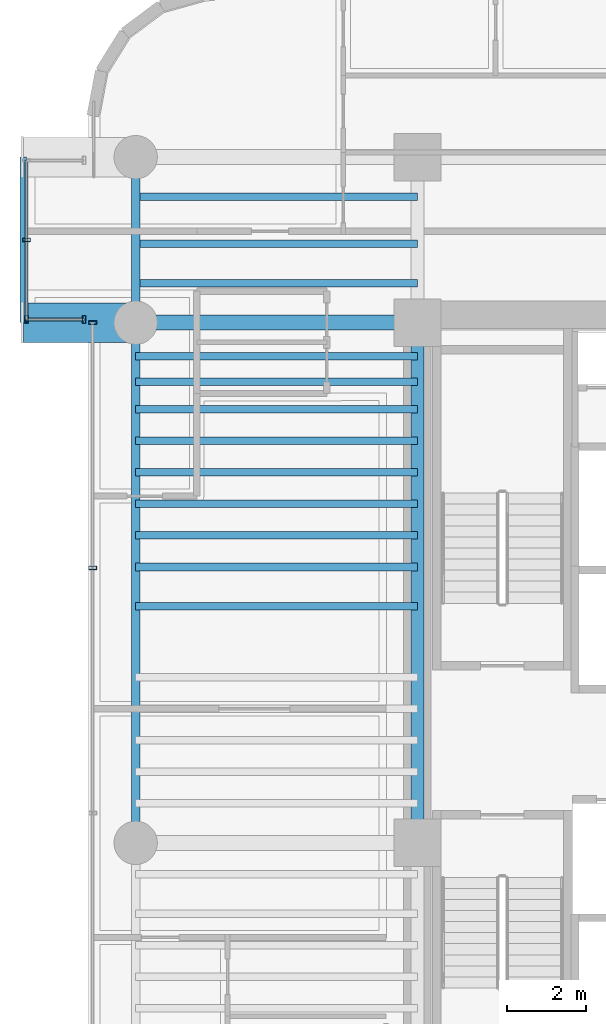
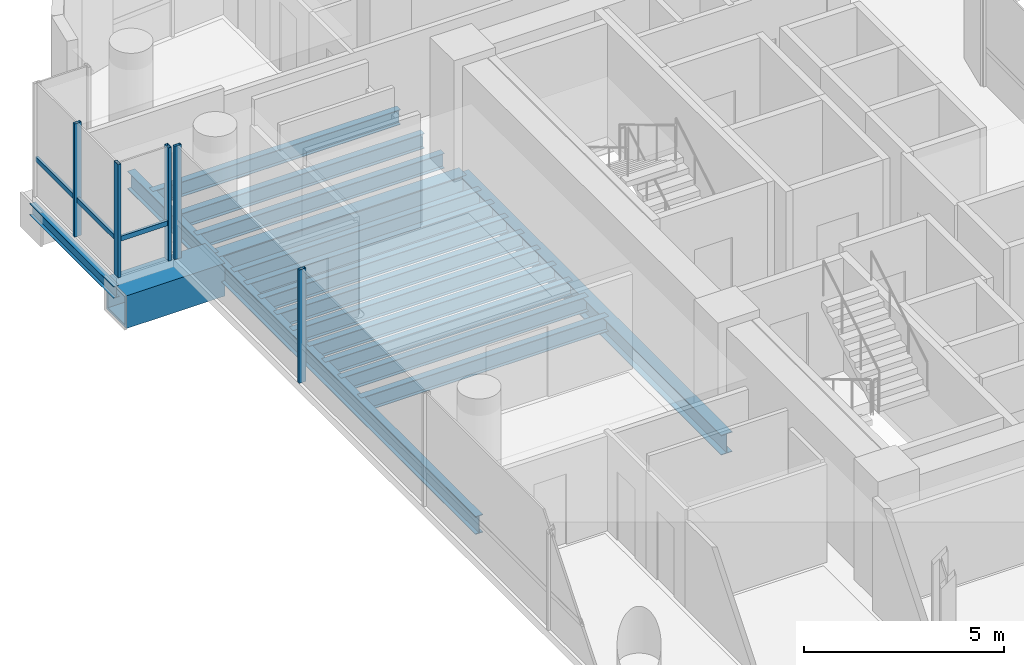
# One storey, part 8 of 35: 18 beams, 7 members, 3 elements without a shape of their own.
"""IFC4 building model written with IfcOpenShell, lengths in metres."""

import ifcopenshell
import ifcopenshell.guid

model = None  # the IFC model being written
_history = None  # IfcOwnerHistory: only IFC2X3 demands one
_inside = {}  # id of a spatial element -> (the spatial element, [elements in it])
_under = {}  # id of a project, library or spatial element -> (it, [spatial elements below it])
_declared = {}  # id of a project -> (the project, [libraries it declares])
_typed = {}  # id of a type object -> (the type object, [elements of that type])
_made_of = {}  # id of a material, layer set ... -> (it, [elements and type objects made of it])


def new_model(schema):
    """Start an empty IFC model of exactly this schema.

    Asked for "IFC4X3", IfcOpenShell would pick the latest addendum, in which some entities
    have other attributes; the version numbers below select the first issue.
    IFC2X3 requires an IfcOwnerHistory on every rooted entity: one is made here for all.
    """
    global model, _history
    if schema == "IFC4X3":
        model = ifcopenshell.file(schema_version=(4, 3, 0, 0))
    else:
        model = ifcopenshell.file(schema=schema)
    _inside.clear()
    _under.clear()
    _declared.clear()
    _typed.clear()
    _made_of.clear()
    _history = None
    if model.schema == "IFC2X3":
        org = make("IfcOrganization", Name="unknown")
        user = make(
            "IfcPersonAndOrganization",
            ThePerson=make("IfcPerson", FamilyName="unknown"),
            TheOrganization=org,
        )
        app = make(
            "IfcApplication",
            ApplicationDeveloper=org,
            Version="unknown",
            ApplicationFullName="unknown",
            ApplicationIdentifier="unknown",
        )
        _history = make(
            "IfcOwnerHistory",
            OwningUser=user,
            OwningApplication=app,
            ChangeAction="ADDED",
            CreationDate=0,
        )
    return model


def make(cls, **values):
    """One entity of the class cls with the attributes given. An attribute that is None is left unset."""
    return model.create_entity(
        cls, **{name: value for name, value in values.items() if value is not None}
    )


def rooted(cls, **values):
    """An entity with a GlobalId (a new one), such as an element, a storey or a relation."""
    return make(cls, GlobalId=ifcopenshell.guid.new(), OwnerHistory=_history, **values)


def si_unit(unit_type, name, prefix=None):
    """IfcSIUnit, for example si_unit("LENGTHUNIT", "METRE", prefix="MILLI")."""
    return make("IfcSIUnit", UnitType=unit_type, Prefix=prefix, Name=name)


def assignment(units):
    """IfcUnitAssignment: the units of a project."""
    return None if units is None else make("IfcUnitAssignment", Units=units)


def point(xyz):
    """IfcCartesianPoint."""
    return None if xyz is None else make("IfcCartesianPoint", Coordinates=xyz)


def direction(xyz):
    """IfcDirection."""
    return None if xyz is None else make("IfcDirection", DirectionRatios=xyz)


def frame(location, z_axis=None, x_axis=None):
    """IfcAxis2Placement3D, a coordinate frame: its origin and axes. An axis left out is left unset."""
    return make(
        "IfcAxis2Placement3D",
        Location=point(location),
        Axis=direction(z_axis),
        RefDirection=direction(x_axis),
    )


def frame_2d(location, x_axis=None):
    """IfcAxis2Placement2D, a coordinate frame in the plane: its origin and x axis."""
    return make(
        "IfcAxis2Placement2D", Location=point(location), RefDirection=direction(x_axis)
    )


def origin():
    """The frame at (0, 0, 0) with its axes left unset."""
    return frame((0.0, 0.0, 0.0))


def origin_2d():
    """The frame at (0, 0) in the plane with its x axis left unset."""
    return frame_2d((0.0, 0.0))


def place(relative_to, where):
    """IfcLocalPlacement: puts the frame where relative to a parent placement (None: the world)."""
    return make(
        "IfcLocalPlacement", PlacementRelTo=relative_to, RelativePlacement=where
    )


def context(
    kind, dimensions, precision=None, world=None, true_north=None, identifier=None
):
    """IfcGeometricRepresentationContext, for example the 3D "Model" context."""
    return make(
        "IfcGeometricRepresentationContext",
        ContextIdentifier=identifier,
        ContextType=kind,
        CoordinateSpaceDimension=dimensions,
        Precision=precision,
        WorldCoordinateSystem=world,
        TrueNorth=true_north,
    )


def subcontext(parent, identifier, kind, view, scale=None):
    """IfcGeometricRepresentationSubContext, for example "Body" below "Model"."""
    return make(
        "IfcGeometricRepresentationSubContext",
        ContextIdentifier=identifier,
        ContextType=kind,
        ParentContext=parent,
        TargetScale=scale,
        TargetView=view,
    )


def project(units=None, contexts=None):
    """IfcProject with its units and contexts."""
    return rooted(
        "IfcProject",
        Name="project",
        RepresentationContexts=contexts,
        UnitsInContext=assignment(units),
    )


def spatial(cls, under=None, at=None, **own):
    """A site, building, storey or space (cls), placed at a placement, below another one or the project."""
    s = rooted(cls, ObjectPlacement=at, **own)
    if under is not None:
        _under.setdefault(under.id(), (under, []))[1].append(s)
    return s


def profile(cls, at=None, kind="AREA", **sizes):
    """A parametric profile (cls). Its sizes go by their IFC names, for example OverallWidth=200.0."""
    return make(cls, ProfileType=kind, Position=at, **sizes)


def hollow_rectangle(**sizes):
    """IfcRectangleHollowProfileDef."""
    return profile("IfcRectangleHollowProfileDef", **sizes)


def i_section(**sizes):
    """IfcIShapeProfileDef."""
    return profile("IfcIShapeProfileDef", **sizes)


def extrude(swept, where, along, depth):
    """IfcExtrudedAreaSolid: the profile swept, set in the frame where, extruded along a direction by depth."""
    return make(
        "IfcExtrudedAreaSolid",
        SweptArea=swept,
        Position=where,
        ExtrudedDirection=direction(along),
        Depth=depth,
    )


def shape(context_of_items, identifier, shape_type, items):
    """IfcShapeRepresentation: the items that make up one representation, for example the "Body"."""
    return make(
        "IfcShapeRepresentation",
        ContextOfItems=context_of_items,
        RepresentationIdentifier=identifier,
        RepresentationType=shape_type,
        Items=items,
    )


def source(mapping_origin, context_of_items, identifier, shape_type, items):
    """IfcRepresentationMap: a shape defined once, which mapped items show again and again."""
    return make(
        "IfcRepresentationMap",
        MappingOrigin=mapping_origin,
        MappedRepresentation=shape(context_of_items, identifier, shape_type, items),
    )


def transform(
    local_origin,
    x_axis=None,
    y_axis=None,
    z_axis=None,
    scale=None,
    scale2=None,
    scale3=None,
    uniform=True,
):
    """IfcCartesianTransformationOperator3D, or its non-uniform kind. x_axis, y_axis, z_axis: its Axis1, 2, 3."""
    if uniform:
        return make(
            "IfcCartesianTransformationOperator3D",
            Axis1=direction(x_axis),
            Axis2=direction(y_axis),
            LocalOrigin=point(local_origin),
            Scale=scale,
            Axis3=direction(z_axis),
        )
    return make(
        "IfcCartesianTransformationOperator3DnonUniform",
        Axis1=direction(x_axis),
        Axis2=direction(y_axis),
        LocalOrigin=point(local_origin),
        Scale=scale,
        Axis3=direction(z_axis),
        Scale2=scale2,
        Scale3=scale3,
    )


def mapped(mapping_source, mapping_target):
    """IfcMappedItem: shows the shape of a source again, moved by a transform."""
    return make(
        "IfcMappedItem", MappingSource=mapping_source, MappingTarget=mapping_target
    )


def material(Name=None, Category=None):
    """IfcMaterial."""
    return make("IfcMaterial", Name=Name, Category=Category)


def material_profile(
    of_material, cross_section, Name=None, Category=None, Priority=None
):
    """IfcMaterialProfile: a cross section and its material."""
    return make(
        "IfcMaterialProfile",
        Name=Name,
        Material=of_material,
        Profile=cross_section,
        Priority=Priority,
        Category=Category,
    )


def profile_set(profiles, Name=None, composite=None):
    """IfcMaterialProfileSet."""
    return make(
        "IfcMaterialProfileSet",
        Name=Name,
        MaterialProfiles=profiles,
        CompositeProfile=composite,
    )


def made_of(thing, what):
    """Note that an element or type object is made of a material, layer set ...; save() writes the relation."""
    if what is not None:
        _made_of.setdefault(what.id(), (what, []))[1].append(thing)
    return thing


def type_object(cls, material=None, **own):
    """A type object (cls), such as IfcWallType, which elements share."""
    return made_of(rooted(cls, **own), material)


def element(
    cls,
    number,
    at=None,
    inside=None,
    cuts=None,
    type_object=None,
    material=None,
    context=None,
    identifier="Body",
    shape_type=None,
    held_by="IfcProductDefinitionShape",
    body=None,
    shapes=None,
    **own,
):
    """One element of the class cls, such as IfcWall. Its Tag is "e" and its number.

    at: its placement. inside: the storey or other place that contains it. cuts: it is an
    opening in that element (IfcRelVoidsElement). A single representation is given by context,
    identifier, shape_type and body (its items); several are given by shapes. held_by: the class
    of the entity that holds the representations. save() writes the other relations.
    """
    e = rooted(cls, Tag="e%d" % number, ObjectPlacement=at, **own)
    if body is not None:
        shapes = [shape(context, identifier, shape_type, body)]
    if shapes is not None:
        e.Representation = make(held_by, Representations=shapes)
    if inside is not None:
        _inside.setdefault(inside.id(), (inside, []))[1].append(e)
    if cuts is not None:
        rooted(
            "IfcRelVoidsElement", RelatingBuildingElement=cuts, RelatedOpeningElement=e
        )
    if type_object is not None:
        _typed.setdefault(type_object.id(), (type_object, []))[1].append(e)
    return made_of(e, material)


def aggregate(whole, parts):
    """IfcRelAggregates: a whole, such as a stair, and the parts it consists of."""
    return rooted("IfcRelAggregates", RelatingObject=whole, RelatedObjects=parts)


def save(model, path):
    """Write the relations noted so far, then the file.

    IfcRelAggregates (storeys below a building ...), IfcRelContainedInSpatialStructure (elements
    in a storey), IfcRelDefinesByType, IfcRelAssociatesMaterial and IfcRelDeclares: one each for
    every whole, place, type object, material and project.
    """
    for whole, parts in _under.values():
        aggregate(whole, parts)
    for where, things in _inside.values():
        rooted(
            "IfcRelContainedInSpatialStructure",
            RelatedElements=things,
            RelatingStructure=where,
        )
    for kind, things in _typed.values():
        rooted("IfcRelDefinesByType", RelatedObjects=things, RelatingType=kind)
    for what, things in _made_of.values():
        rooted("IfcRelAssociatesMaterial", RelatedObjects=things, RelatingMaterial=what)
    for by, libraries in _declared.values():
        rooted("IfcRelDeclares", RelatingContext=by, RelatedDefinitions=libraries)
    model.write(path)


model = new_model("IFC4")

# Units and contexts
model_context = context("Model", 3, precision=1e-05, world=origin(), true_north=direction((0.0, 1.0)))
body_context = subcontext(model_context, "Body", "Model", "MODEL_VIEW")
ifc_project = project(units=[si_unit("LENGTHUNIT", "METRE"), si_unit("AREAUNIT", "SQUARE_METRE"), si_unit("VOLUMEUNIT", "CUBIC_METRE"), si_unit("PLANEANGLEUNIT", "RADIAN"), si_unit("MASSUNIT", "GRAM", prefix="KILO")], contexts=[model_context])

# Site, building, storey
site_placement = place(None, origin())
site = spatial("IfcSite", under=ifc_project, at=site_placement, CompositionType="ELEMENT")
building_placement = place(site_placement, origin())
building = spatial("IfcBuilding", under=site, at=building_placement, Name="Valdorenza Pilgrim Sanctuary Tower", CompositionType="ELEMENT")
storey_placement = place(building_placement, frame((0.0, 0.0, 150.10009765625)))
storey = spatial("IfcBuildingStorey", under=building, at=storey_placement, Name="L38", CompositionType="ELEMENT", Elevation=150.10009765625)

# Beams
ifc_material_1 = material(Name="Steel ASTM A992 Grade 50", Category="steel")
ifc_material_profile_1 = material_profile(ifc_material_1, i_section(OverallWidth=0.214111328125, OverallDepth=0.549072265625, WebThickness=0.0146484375, FlangeThickness=0.023681640625, at=origin_2d()), Name="W21X93")
ifc_profile_set_1 = profile_set([ifc_material_profile_1], Name="Steel ASTM A992 Grade 50")
beam_type_1 = type_object("IfcBeamType", Name="STR-BM-SPN-W21A", PredefinedType="SPANDREL", material=ifc_profile_set_1)
shared_shape_1 = source(origin(), body_context, "Body", "SweptSolid", [
    extrude(i_section(OverallWidth=0.214111328125, OverallDepth=0.549072265625, WebThickness=0.0146484375, FlangeThickness=0.023681640625, at=origin_2d()), origin(), (0.0, 0.0, 1.0), 13.2001953125),
])
beam_1_placement = place(storey_placement, frame((-29.800048828125, -2.60009765625, -0.5146484375), z_axis=(0.0, 1.0, 0.0), x_axis=(-1.0, 0.0, 0.0)))
element("IfcBeam", 1, at=beam_1_placement, inside=storey, type_object=beam_type_1, Name="L38 Spandrel Beam WA-W-M0N1", PredefinedType="SPANDREL", context=body_context, shape_type="MappedRepresentation", body=[
    mapped(shared_shape_1, transform((0.0, 0.0, 0.0), x_axis=(1.0, 0.0, 0.0), y_axis=(0.0, 1.0, 0.0), z_axis=(0.0, 0.0, 1.0), scale=1.0)),
])
ifc_material_profile_2 = material_profile(ifc_material_1, i_section(OverallWidth=0.323974609375, OverallDepth=0.611083984375, WebThickness=0.0126953125, FlangeThickness=0.01904296875, at=origin_2d()), Name="W24X104")
ifc_profile_set_2 = profile_set([ifc_material_profile_2], Name="Steel ASTM A992 Grade 50")
beam_type_2 = type_object("IfcBeamType", Name="STR-BM-GRD-W24B", PredefinedType="BEAM", material=ifc_profile_set_2)
shared_shape_2 = source(origin(), body_context, "Body", "SweptSolid", [
    extrude(i_section(OverallWidth=0.323974609375, OverallDepth=0.611083984375, WebThickness=0.0126953125, FlangeThickness=0.01904296875, at=origin_2d()), origin(), (0.0, 0.0, 1.0), 13.2001953125),
])
beam_2_placement = place(storey_placement, frame((-22.64990234375, -2.60009765625, -0.545654296875), z_axis=(0.0, 1.0, 0.0), x_axis=(-1.0, 0.0, 0.0)))
element("IfcBeam", 2, at=beam_2_placement, inside=storey, type_object=beam_type_2, Name="L38 Core Tie Girder CA-W-M0N1", PredefinedType="BEAM", context=body_context, shape_type="MappedRepresentation", body=[
    mapped(shared_shape_2, transform((0.0, 0.0, 0.0), x_axis=(1.0, 0.0, 0.0), y_axis=(0.0, 1.0, 0.0), z_axis=(0.0, 0.0, 1.0), scale=1.0)),
])
shared_shape_3 = source(origin(), body_context, "Body", "SweptSolid", [
    extrude(i_section(OverallWidth=0.214111328125, OverallDepth=0.549072265625, WebThickness=0.0146484375, FlangeThickness=0.023681640625, at=origin_2d()), origin(), (0.0, 0.0, 1.0), 4.199951171875),
])
beam_3_placement = place(storey_placement, frame((-29.800048828125, 10.60009765625, -0.5146484375), z_axis=(0.0, 1.0, 0.0), x_axis=(-1.0, 0.0, 0.0)))
element("IfcBeam", 3, at=beam_3_placement, inside=storey, type_object=beam_type_1, Name="L38 Spandrel Beam WA-W-N1N2", PredefinedType="SPANDREL", context=body_context, shape_type="MappedRepresentation", body=[
    mapped(shared_shape_3, transform((0.0, 0.0, 0.0), x_axis=(1.0, 0.0, 0.0), y_axis=(0.0, 1.0, 0.0), z_axis=(0.0, 0.0, 1.0), scale=1.0)),
])
ifc_material_profile_3 = material_profile(ifc_material_1, i_section(OverallWidth=0.1708984375, OverallDepth=0.35107421875, WebThickness=0.0068359375, FlangeThickness=0.009765625, at=origin_2d()), Name="W14X30")
ifc_profile_set_3 = profile_set([ifc_material_profile_3], Name="Steel ASTM A992 Grade 50")
beam_type_3 = type_object("IfcBeamType", Name="STR-BM-BOX-W14", PredefinedType="BEAM", material=ifc_profile_set_3)
shared_shape_4 = source(origin(), body_context, "Body", "SweptSolid", [
    extrude(i_section(OverallWidth=0.1708984375, OverallDepth=0.35107421875, WebThickness=0.0068359375, FlangeThickness=0.009765625, at=origin_2d()), origin(), (0.0, 0.0, 1.0), 4.199951171875),
])
beam_4_placement = place(storey_placement, frame((-32.64990234375, 10.60009765625, -0.41552734375), z_axis=(0.0, 1.0, 0.0), x_axis=(-1.0, 0.0, 0.0)))
element("IfcBeam", 4, at=beam_4_placement, inside=storey, type_object=beam_type_3, Name="L38 Glass Box Edge Beam BOX-WA-L38-F", PredefinedType="BEAM", context=body_context, shape_type="MappedRepresentation", body=[
    mapped(shared_shape_4, transform((0.0, 0.0, 0.0), x_axis=(1.0, 0.0, 0.0), y_axis=(0.0, 1.0, 0.0), z_axis=(0.0, 0.0, 1.0), scale=1.0)),
])
ifc_material_profile_4 = material_profile(ifc_material_1, i_section(OverallWidth=0.382080078125, OverallDepth=0.779052734375, WebThickness=0.01806640625, FlangeThickness=0.030029296875, at=origin_2d()), Name="W30X191")
ifc_profile_set_4 = profile_set([ifc_material_profile_4], Name="Steel ASTM A992 Grade 50")
beam_type_4 = type_object("IfcBeamType", Name="STR-BM-GRD-W30", PredefinedType="BEAM", material=ifc_profile_set_4)
shared_shape_5 = source(origin(), body_context, "Body", "SweptSolid", [
    extrude(i_section(OverallWidth=0.382080078125, OverallDepth=0.779052734375, WebThickness=0.01806640625, FlangeThickness=0.030029296875, at=origin_2d()), origin(), (0.0, 0.0, 1.0), 7.150146484375),
])
beam_5_placement = place(storey_placement, frame((-29.800048828125, 10.60009765625, -0.629638671875), z_axis=(1.0, 0.0, 0.0), x_axis=(0.0, 1.0, 0.0)))
element("IfcBeam", 5, at=beam_5_placement, inside=storey, type_object=beam_type_4, Name="L38 Floor Girder WA-XW-N1", PredefinedType="BEAM", context=body_context, shape_type="MappedRepresentation", body=[
    mapped(shared_shape_5, transform((0.0, 0.0, 0.0), x_axis=(1.0, 0.0, 0.0), y_axis=(0.0, 1.0, 0.0), z_axis=(0.0, 0.0, 1.0), scale=1.0)),
])
ifc_material_profile_5 = material_profile(ifc_material_1, i_section(OverallWidth=0.19091796875, OverallDepth=0.45703125, WebThickness=0.009033203125, FlangeThickness=0.014404296875, at=origin_2d()), Name="W18X50")
ifc_profile_set_5 = profile_set([ifc_material_profile_5], Name="Steel ASTM A992 Grade 50")
beam_type_5 = type_object("IfcBeamType", Name="STR-BM-JST-W18B", PredefinedType="JOIST", material=ifc_profile_set_5)
shared_shape_6 = source(origin(), body_context, "Body", "SweptSolid", [
    extrude(i_section(OverallWidth=0.19091796875, OverallDepth=0.45703125, WebThickness=0.009033203125, FlangeThickness=0.014404296875, at=origin_2d()), origin(), (0.0, 0.0, 1.0), 7.150146484375),
])
for number, where, z_axis, x_axis, name in (
    (6, (-29.800048828125, 3.39990234375, -0.468505859375), (1.0, 0.0, 0.0), (0.0, 1.0, 0.0), "L38 Composite Floor Joist JST-WA-15"),
    (7, (-29.800048828125, 4.39990234375, -0.468505859375), (1.0, 0.0, 0.0), (0.0, 1.0, 0.0), "L38 Composite Floor Joist JST-WA-16"),
    (8, (-29.800048828125, 5.199951171875, -0.468505859375), (1.0, 0.0, 0.0), (0.0, 1.0, 0.0), "L38 Composite Floor Joist JST-WA-17"),
    (9, (-29.800048828125, 6.0, -0.468505859375), (1.0, 0.0, 0.0), (0.0, 1.0, 0.0), "L38 Composite Floor Joist JST-WA-18"),
    (10, (-29.800048828125, 6.800048828125, -0.468505859375), (1.0, 0.0, 0.0), (0.0, 1.0, 0.0), "L38 Composite Floor Joist JST-WA-19"),
    (11, (-29.800048828125, 7.60009765625, -0.468505859375), (1.0, 0.0, 0.0), (0.0, 1.0, 0.0), "L38 Composite Floor Joist JST-WA-20"),
    (12, (-29.800048828125, 8.39990234375, -0.468505859375), (1.0, 0.0, 0.0), (0.0, 1.0, 0.0), "L38 Composite Floor Joist JST-WA-21"),
    (13, (-29.800048828125, 9.10009765625, -0.468505859375), (1.0, 0.0, 0.0), (0.0, 1.0, 0.0), "L38 Composite Floor Joist JST-WA-22"),
    (14, (-29.800048828125, 9.75, -0.468505859375), (1.0, 0.0, 0.0), (0.0, 1.0, 0.0), "L38 Composite Floor Joist JST-WA-23"),
    (15, (-29.800048828125, 11.60009765625, -0.468505859375), (1.0, 0.0, 0.0), (0.0, 1.0, 0.0), "L38 Composite Floor Joist JST-WA-24"),
    (16, (-29.800048828125, 12.60009765625, -0.468505859375), (1.0, 0.0, 0.0), (0.0, 1.0, 0.0), "L38 Composite Floor Joist JST-WA-25"),
    (17, (-29.800048828125, 13.800048828125, -0.468505859375), (1.0, 0.0, 0.0), (0.0, 1.0, 0.0), "L38 Composite Floor Joist JST-WA-26"),
):
    element("IfcBeam", number, at=place(storey_placement, frame(where, z_axis=z_axis, x_axis=x_axis)), inside=storey, type_object=beam_type_5, Name=name, PredefinedType="JOIST", context=body_context, shape_type="MappedRepresentation", body=[
        mapped(shared_shape_6, transform((0.0, 0.0, 0.0), x_axis=(1.0, 0.0, 0.0), y_axis=(0.0, 1.0, 0.0), z_axis=(0.0, 0.0, 1.0), scale=1.0)),
    ])
ifc_material_2 = material(Name="Steel ASTM A572 Grade 42", Category="steel")
ifc_material_profile_6 = material_profile(ifc_material_2, hollow_rectangle(XDim=1.0, YDim=1.0, WallThickness=0.080078125, at=origin_2d()), Name="BOX 1000x1000x80")
ifc_profile_set_6 = profile_set([ifc_material_profile_6], Name="Steel ASTM A572 Grade 42")
beam_type_6 = type_object("IfcBeamType", Name="STR-BM-PROW-CANT", PredefinedType="BEAM", material=ifc_profile_set_6)
shared_shape_7 = source(origin(), body_context, "Body", "SweptSolid", [
    extrude(hollow_rectangle(XDim=1.0, YDim=1.0, WallThickness=0.080078125, at=origin_2d()), origin(), (0.0, 0.0, 1.0), 2.849853515625),
])
beam_6_placement = place(storey_placement, frame((-29.800048828125, 10.60009765625, -0.739990234375), z_axis=(-1.0, 0.0, 0.0), x_axis=(0.0, -1.0, 0.0)))
element("IfcBeam", 18, at=beam_6_placement, inside=storey, type_object=beam_type_6, Name="L38 Glass Box Cantilever Beam BOX-WA-L38-CT-S", PredefinedType="BEAM", context=body_context, shape_type="MappedRepresentation", body=[
    mapped(shared_shape_7, transform((0.0, 0.0, 0.0), x_axis=(1.0, 0.0, 0.0), y_axis=(0.0, 1.0, 0.0), z_axis=(0.0, 0.0, 1.0), scale=1.0)),
])

# Curtain wall, members
ifc_material_3 = material(Name="Curtain-wall IGU glazing", Category="glass")
curtain_wall_type = type_object("IfcCurtainWallType", Name="CW-SYS-02", PredefinedType="NOTDEFINED", material=ifc_material_3)
curtain_wall_1_placement = place(storey_placement, origin())
curtain_wall_1 = element("IfcCurtainWall", 19, at=curtain_wall_1_placement, inside=storey, type_object=curtain_wall_type, Name="L38 Curtain Wall CW-L38-1-1S1", PredefinedType="NOTDEFINED")
ifc_material_4 = material(Name="Anodised aluminium AW-6060", Category="aluminium")
ifc_material_profile_7 = material_profile(ifc_material_4, hollow_rectangle(XDim=0.0849609375, YDim=0.199951171875, WallThickness=0.0048828125, at=origin_2d()), Name="ALU-M 200x85x5")
ifc_profile_set_7 = profile_set([ifc_material_profile_7], Name="Anodised aluminium AW-6060")
member_type_1 = type_object("IfcMemberType", Name="CW-MUL-02", PredefinedType="MULLION", material=ifc_profile_set_7)
shared_shape_8 = source(origin(), body_context, "Body", "SweptSolid", [
    extrude(hollow_rectangle(XDim=0.0849609375, YDim=0.199951171875, WallThickness=0.0048828125, at=origin_2d()), origin(), (0.0, 0.0, 1.0), 3.4599609375),
])
member_1_placement = place(storey_placement, frame((-30.889892578125, 4.377685546875, 0.0), z_axis=(0.0, 0.0, 1.0), x_axis=(0.0, 1.0, 0.0)))
member_1 = element("IfcMember", 20, at=member_1_placement, type_object=member_type_1, Name="CW-L38-1-1S1 Mullion 4", PredefinedType="MULLION", context=body_context, shape_type="MappedRepresentation", body=[
    mapped(shared_shape_8, transform((0.0, 0.0, 0.0), x_axis=(1.0, 0.0, 0.0), y_axis=(0.0, 1.0, 0.0), z_axis=(0.0, 0.0, 1.0), scale=1.0)),
])
member_2_placement = place(storey_placement, frame((-30.889892578125, 10.60009765625, 0.0), z_axis=(0.0, 0.0, 1.0), x_axis=(0.0, 1.0, 0.0)))
member_2 = element("IfcMember", 21, at=member_2_placement, type_object=member_type_1, Name="CW-L38-1-1S1 Mullion 5", PredefinedType="MULLION", context=body_context, shape_type="MappedRepresentation", body=[
    mapped(shared_shape_8, transform((0.0, 0.0, 0.0), x_axis=(1.0, 0.0, 0.0), y_axis=(0.0, 1.0, 0.0), z_axis=(0.0, 0.0, 1.0), scale=1.0)),
])
aggregate(curtain_wall_1, [member_1, member_2])

curtain_wall_2_placement = place(storey_placement, origin())
curtain_wall_2 = element("IfcCurtainWall", 22, at=curtain_wall_2_placement, inside=storey, type_object=curtain_wall_type, Name="L38 Curtain Wall CW-L38-BOX-WA-L38-S", PredefinedType="NOTDEFINED")
member_3_placement = place(storey_placement, frame((-31.110107421875, 10.679931640625, 0.0), z_axis=(0.0, 0.0, 1.0), x_axis=(-1.0, 0.0, 0.0)))
member_3 = element("IfcMember", 23, at=member_3_placement, type_object=member_type_1, Name="CW-L38-BOX-WA-L38-S Mullion 1", PredefinedType="MULLION", context=body_context, shape_type="MappedRepresentation", body=[
    mapped(shared_shape_8, transform((0.0, 0.0, 0.0), x_axis=(1.0, 0.0, 0.0), y_axis=(0.0, 1.0, 0.0), z_axis=(0.0, 0.0, 1.0), scale=1.0)),
])
member_4_placement = place(storey_placement, frame((-32.570068359375, 10.679931640625, 0.0), z_axis=(0.0, 0.0, 1.0), x_axis=(-1.0, 0.0, 0.0)))
member_4 = element("IfcMember", 24, at=member_4_placement, type_object=member_type_1, Name="CW-L38-BOX-WA-L38-S Mullion 2", PredefinedType="MULLION", context=body_context, shape_type="MappedRepresentation", body=[
    mapped(shared_shape_8, transform((0.0, 0.0, 0.0), x_axis=(1.0, 0.0, 0.0), y_axis=(0.0, 1.0, 0.0), z_axis=(0.0, 0.0, 1.0), scale=1.0)),
])

# Curtain wall, member
curtain_wall_3_placement = place(storey_placement, origin())
curtain_wall_3 = element("IfcCurtainWall", 25, at=curtain_wall_3_placement, inside=storey, type_object=curtain_wall_type, Name="L38 Curtain Wall CW-L38-BOX-WA-L38-F", PredefinedType="NOTDEFINED")
member_5_placement = place(storey_placement, frame((-32.570068359375, 12.699951171875, 0.0), z_axis=(0.0, 0.0, 1.0), x_axis=(0.0, 1.0, 0.0)))
member_5 = element("IfcMember", 26, at=member_5_placement, type_object=member_type_1, Name="CW-L38-BOX-WA-L38-F Mullion 2", PredefinedType="MULLION", context=body_context, shape_type="MappedRepresentation", body=[
    mapped(shared_shape_8, transform((0.0, 0.0, 0.0), x_axis=(1.0, 0.0, 0.0), y_axis=(0.0, 1.0, 0.0), z_axis=(0.0, 0.0, 1.0), scale=1.0)),
])

# Member
ifc_material_profile_8 = material_profile(ifc_material_4, hollow_rectangle(XDim=0.074951171875, YDim=0.14990234375, WallThickness=0.00390625, at=origin_2d()), Name="ALU-T 150x75x4")
ifc_profile_set_8 = profile_set([ifc_material_profile_8], Name="Anodised aluminium AW-6060")
member_type_2 = type_object("IfcMemberType", Name="CW-TRN-02", PredefinedType="USERDEFINED", material=ifc_profile_set_8)
shared_shape_9 = source(origin(), body_context, "Body", "SweptSolid", [
    extrude(hollow_rectangle(XDim=0.074951171875, YDim=0.14990234375, WallThickness=0.00390625, at=origin_2d()), origin(), (0.0, 0.0, 1.0), 1.4599609375),
])
member_6_placement = place(storey_placement, frame((-31.110107421875, 10.679931640625, 1.119873046875), z_axis=(-1.0, 0.0, 0.0), x_axis=(0.0, -1.0, 0.0)))
member_6 = element("IfcMember", 27, at=member_6_placement, type_object=member_type_2, Name="CW-L38-BOX-WA-L38-S Transom 1", ObjectType="TRANSOM", PredefinedType="USERDEFINED", context=body_context, shape_type="MappedRepresentation", body=[
    mapped(shared_shape_9, transform((0.0, 0.0, 0.0), x_axis=(1.0, 0.0, 0.0), y_axis=(0.0, 1.0, 0.0), z_axis=(0.0, 0.0, 1.0), scale=1.0)),
])

aggregate(curtain_wall_2, [member_3, member_4, member_6])

shared_shape_10 = source(origin(), body_context, "Body", "SweptSolid", [
    extrude(hollow_rectangle(XDim=0.074951171875, YDim=0.14990234375, WallThickness=0.00390625, at=origin_2d()), origin(), (0.0, 0.0, 1.0), 4.0400390625),
])
member_7_placement = place(storey_placement, frame((-32.570068359375, 10.679931640625, 1.119873046875), z_axis=(0.0, 1.0, 0.0), x_axis=(-1.0, 0.0, 0.0)))
member_7 = element("IfcMember", 28, at=member_7_placement, type_object=member_type_2, Name="CW-L38-BOX-WA-L38-F Transom 1", ObjectType="TRANSOM", PredefinedType="USERDEFINED", context=body_context, shape_type="MappedRepresentation", body=[
    mapped(shared_shape_10, transform((0.0, 0.0, 0.0), x_axis=(1.0, 0.0, 0.0), y_axis=(0.0, 1.0, 0.0), z_axis=(0.0, 0.0, 1.0), scale=1.0)),
])

aggregate(curtain_wall_3, [member_5, member_7])

save(model, "model.ifc")
